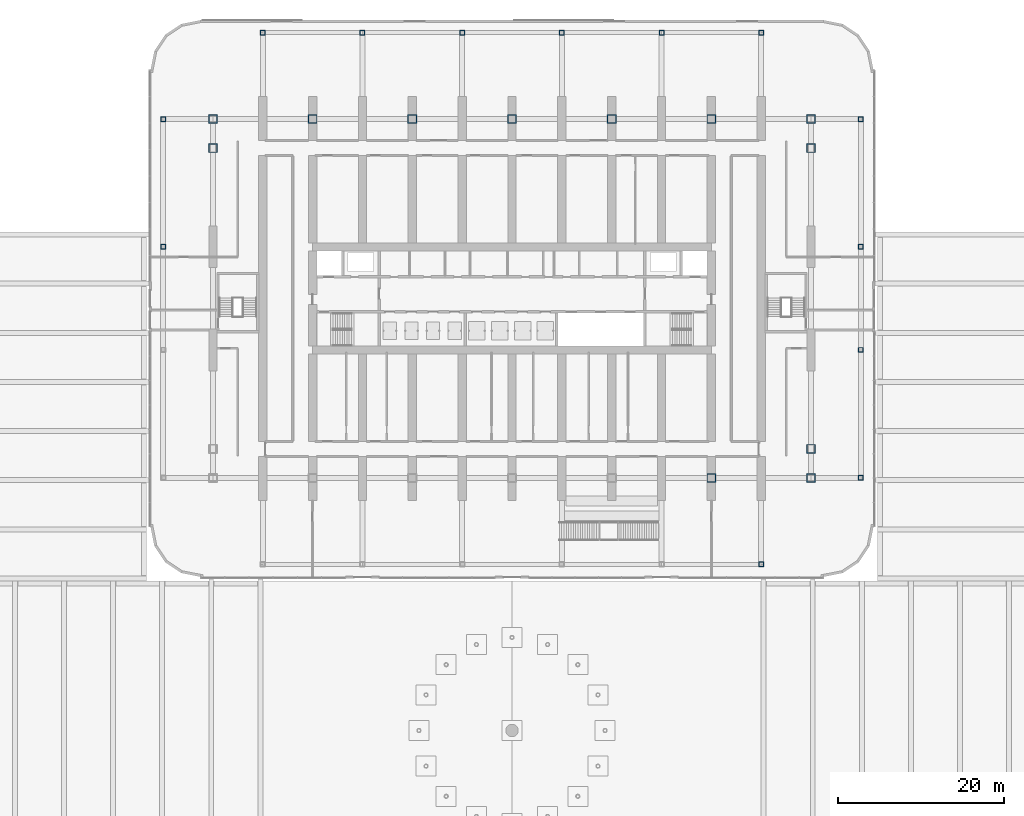
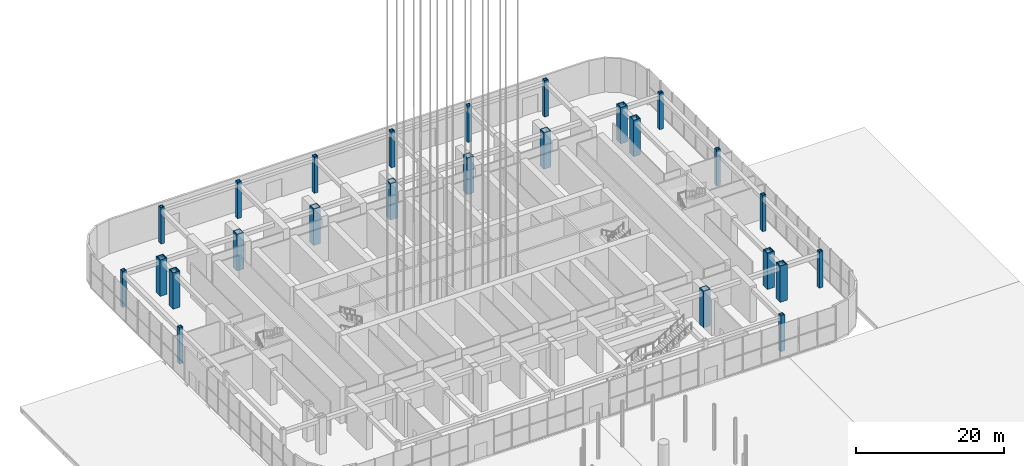
# One storey, part 6 of 57: 25 columns.
"""IFC4 building model written with IfcOpenShell, lengths in metres."""

from ifc_helpers import new_model, si_unit, direction, frame, origin, origin_2d, place, context, subcontext, project, spatial, hollow_rectangle, extrude, material, material_profile, profile_set, type_object, element, save


model = new_model("IFC4")

# Units and contexts
model_context = context("Model", 3, precision=1e-05, world=origin(), true_north=direction((0.0, 1.0)))
body_context = subcontext(model_context, "Body", "Model", "MODEL_VIEW")
ifc_project = project(units=[si_unit("LENGTHUNIT", "METRE"), si_unit("AREAUNIT", "SQUARE_METRE"), si_unit("VOLUMEUNIT", "CUBIC_METRE"), si_unit("PLANEANGLEUNIT", "RADIAN"), si_unit("MASSUNIT", "GRAM", prefix="KILO")], contexts=[model_context])

# Site, building, storey
site_placement = place(None, origin())
site = spatial("IfcSite", under=ifc_project, at=site_placement, CompositionType="ELEMENT")
building_placement = place(site_placement, origin())
building = spatial("IfcBuilding", under=site, at=building_placement, Name="Orbita Commons", CompositionType="ELEMENT")
storey_placement = place(building_placement, origin())
storey = spatial("IfcBuildingStorey", under=building, at=storey_placement, Name="L00", CompositionType="ELEMENT", Elevation=0.0)

# Columns
ifc_material_1 = material(Name="Steel ASTM A572 Gr 42 welded plate", Category="steel")
ifc_material_profile_1 = material_profile(ifc_material_1, hollow_rectangle(XDim=1.10009765625, YDim=1.10009765625, WallThickness=0.110107421875, at=origin_2d()), Name="BOX 1100x1100x110")
ifc_profile_set_1 = profile_set([ifc_material_profile_1], Name="Steel ASTM A572 Gr 42 welded plate")
column_type_1 = type_object("IfcColumnType", Name="Steel column BOX 1100x1100x110", PredefinedType="COLUMN", material=ifc_profile_set_1)
for number, where, z_axis, x_axis, name in (
    (1, (6.0, 53.60009765625, 0.0), (0.0, 0.0, 1.0), (1.0, 0.0, 0.0), "Column 2/E L00"),
    (2, (18.0, 53.60009765625, 0.0), (0.0, 0.0, 1.0), (1.0, 0.0, 0.0), "Column 4/E L00"),
    (3, (30.0, 53.60009765625, 0.0), (0.0, 0.0, 1.0), (1.0, 0.0, 0.0), "Column 6/E L00"),
    (4, (42.0, 53.60009765625, 0.0), (0.0, 0.0, 1.0), (1.0, 0.0, 0.0), "Column 8/E L00"),
    (5, (54.0, 53.60009765625, 0.0), (0.0, 0.0, 1.0), (1.0, 0.0, 0.0), "Column 10/E L00"),
    (6, (66.0, 10.39990234375, 0.0), (0.0, 0.0, 1.0), (1.0, 0.0, 0.0), "Column 12/B L00"),
    (7, (66.0, 53.60009765625, 0.0), (0.0, 0.0, 1.0), (1.0, 0.0, 0.0), "Column 12/E L00"),
    (8, (78.0, 10.39990234375, 0.0), (0.0, 0.0, 1.0), (1.0, 0.0, 0.0), "Column 14/B L00"),
    (9, (78.0, 53.60009765625, 0.0), (0.0, 0.0, 1.0), (1.0, 0.0, 0.0), "Column 14/E L00"),
    (10, (6.0, 50.10009765625, 0.0), (0.0, 0.0, 1.0), (1.0, 0.0, 0.0), "Column 2/50.1 L00"),
    (11, (78.0, 13.89990234375, 0.0), (0.0, 0.0, 1.0), (1.0, 0.0, 0.0), "Column 14/13.9 L00"),
    (12, (78.0, 50.10009765625, 0.0), (0.0, 0.0, 1.0), (1.0, 0.0, 0.0), "Column 14/50.1 L00"),
):
    element("IfcColumn", number, at=place(storey_placement, frame(where, z_axis=z_axis, x_axis=x_axis)), inside=storey, type_object=column_type_1, Name=name, PredefinedType="COLUMN", context=body_context, shape_type="SweptSolid", body=[
        extrude(hollow_rectangle(XDim=1.10009765625, YDim=1.10009765625, WallThickness=0.110107421875, at=origin_2d()), origin(), (0.0, 0.0, 1.0), 6.0),
    ])
ifc_material_2 = material(Name="Steel ASTM A572 Gr 50 welded plate", Category="steel")
ifc_material_profile_2 = material_profile(ifc_material_2, hollow_rectangle(XDim=0.60009765625, YDim=0.60009765625, WallThickness=0.06005859375, at=origin_2d()), Name="BOX 600x600x60")
ifc_profile_set_2 = profile_set([ifc_material_profile_2], Name="Steel ASTM A572 Gr 50 welded plate")
column_type_2 = type_object("IfcColumnType", Name="Steel column BOX 600x600x60", PredefinedType="COLUMN", material=ifc_profile_set_2)
for number, where, z_axis, x_axis, name in (
    (13, (12.0, 64.0, 0.0), (0.0, 0.0, 1.0), (1.0, 0.0, 0.0), "Column 3/F L00"),
    (14, (24.0, 64.0, 0.0), (0.0, 0.0, 1.0), (1.0, 0.0, 0.0), "Column 5/F L00"),
    (15, (36.0, 64.0, 0.0), (0.0, 0.0, 1.0), (1.0, 0.0, 0.0), "Column 7/F L00"),
    (16, (48.0, 64.0, 0.0), (0.0, 0.0, 1.0), (1.0, 0.0, 0.0), "Column 9/F L00"),
    (17, (60.0, 64.0, 0.0), (0.0, 0.0, 1.0), (1.0, 0.0, 0.0), "Column 11/F L00"),
    (18, (72.0, 0.0, 0.0), (0.0, 0.0, 1.0), (1.0, 0.0, 0.0), "Column 13/A L00"),
    (19, (72.0, 64.0, 0.0), (0.0, 0.0, 1.0), (1.0, 0.0, 0.0), "Column 13/F L00"),
    (20, (0.0, 38.199951171875, 0.0), (0.0, 0.0, 1.0), (1.0, 0.0, 0.0), "Column 1/D L00"),
    (21, (0.0, 53.60009765625, 0.0), (0.0, 0.0, 1.0), (1.0, 0.0, 0.0), "Column 1/E L00"),
    (22, (84.0, 10.39990234375, 0.0), (0.0, 0.0, 1.0), (1.0, 0.0, 0.0), "Column 15/B L00"),
    (23, (84.0, 25.800048828125, 0.0), (0.0, 0.0, 1.0), (1.0, 0.0, 0.0), "Column 15/C L00"),
    (24, (84.0, 38.199951171875, 0.0), (0.0, 0.0, 1.0), (1.0, 0.0, 0.0), "Column 15/D L00"),
    (25, (84.0, 53.60009765625, 0.0), (0.0, 0.0, 1.0), (1.0, 0.0, 0.0), "Column 15/E L00"),
):
    element("IfcColumn", number, at=place(storey_placement, frame(where, z_axis=z_axis, x_axis=x_axis)), inside=storey, type_object=column_type_2, Name=name, PredefinedType="COLUMN", context=body_context, shape_type="SweptSolid", body=[
        extrude(hollow_rectangle(XDim=0.60009765625, YDim=0.60009765625, WallThickness=0.06005859375, at=origin_2d()), origin(), (0.0, 0.0, 1.0), 6.0),
    ])

save(model, "model.ifc")
